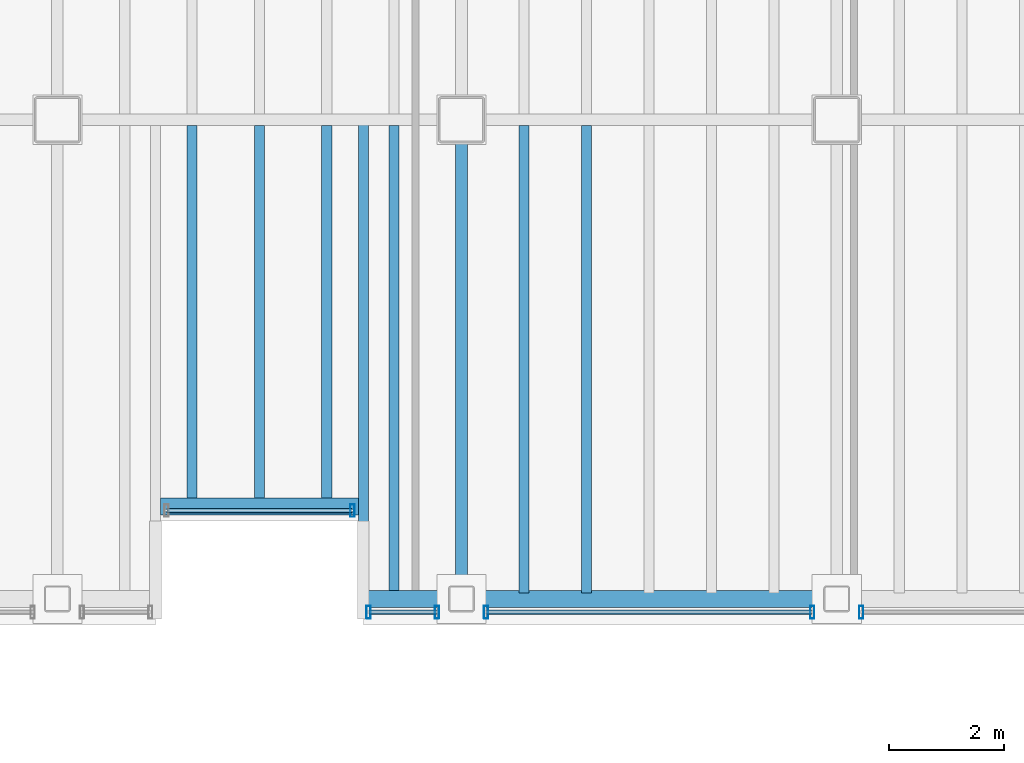
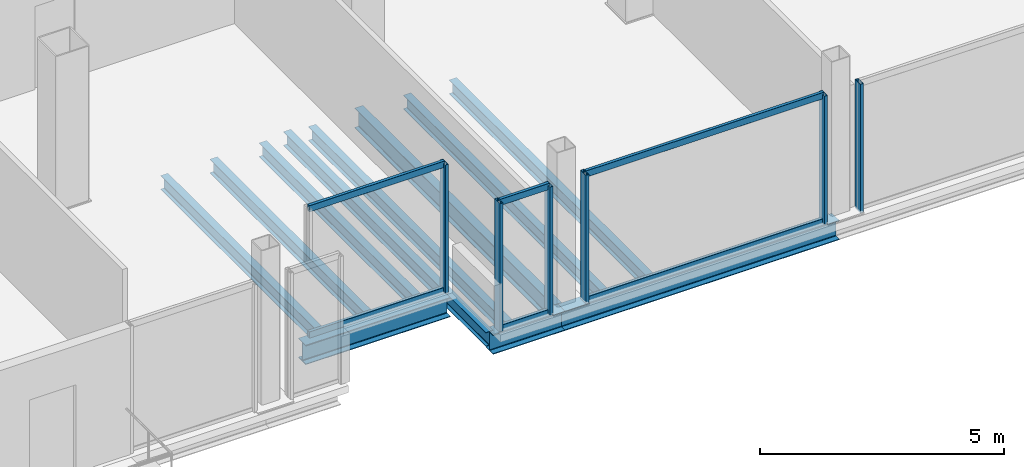
# One storey, part 4 of 15: 12 members, 11 beams, 4 elements without a shape of their own.
"""IFC4 building model written with IfcOpenShell, lengths in metres."""

from ifc_helpers import new_model, si_unit, direction, frame, origin, origin_2d, place, context, subcontext, project, spatial, hollow_rectangle, i_section, extrude, material, material_profile, profile_set, type_object, element, aggregate, save


model = new_model("IFC4")

# Units and contexts
model_context = context("Model", 3, precision=1e-05, world=origin(), true_north=direction((0.0, 1.0)))
body_context = subcontext(model_context, "Body", "Model", "MODEL_VIEW")
ifc_project = project(units=[si_unit("LENGTHUNIT", "METRE"), si_unit("AREAUNIT", "SQUARE_METRE"), si_unit("VOLUMEUNIT", "CUBIC_METRE"), si_unit("PLANEANGLEUNIT", "RADIAN"), si_unit("MASSUNIT", "GRAM", prefix="KILO")], contexts=[model_context])

# Site, building, storey
site_placement = place(None, origin())
site = spatial("IfcSite", under=ifc_project, at=site_placement, CompositionType="ELEMENT")
building_placement = place(site_placement, origin())
building = spatial("IfcBuilding", under=site, at=building_placement, Name="Noeulbin Bourse Tower", CompositionType="ELEMENT")
storey_placement = place(building_placement, frame((0.0, 0.0, 211.10009765625)))
storey = spatial("IfcBuildingStorey", under=building, at=storey_placement, Name="L52", CompositionType="ELEMENT", Elevation=211.10009765625)

# Beams
ifc_material_1 = material(Name="Steel S355", Category="steel")
ifc_material_profile_1 = material_profile(ifc_material_1, i_section(OverallWidth=0.199951171875, OverallDepth=0.5, WebThickness=0.010009765625, FlangeThickness=0.01611328125, FilletRadius=0.02001953125, at=origin_2d()), Name="H-500x200x10x16", Category="LoadBearing")
ifc_profile_set_1 = profile_set([ifc_material_profile_1], Name="Steel S355")
beam_type_1 = type_object("IfcBeamType", Name="BM-GRD-500", PredefinedType="USERDEFINED", material=ifc_profile_set_1)
beam_1_placement = place(storey_placement, frame((31.0, 11.699951171875, -0.43017578125), z_axis=(0.0, 1.0, 0.0), x_axis=(-1.0, 0.0, 0.0)))
element("IfcBeam", 1, at=beam_1_placement, inside=storey, type_object=beam_type_1, Name="Tower Primary Girder NS L52-3.1", ObjectType="GIRDER", PredefinedType="USERDEFINED", context=body_context, shape_type="SweptSolid", body=[
    extrude(i_section(OverallWidth=0.199951171875, OverallDepth=0.5, WebThickness=0.010009765625, FlangeThickness=0.01611328125, FilletRadius=0.02001953125, at=origin_2d()), origin(), (0.0, 0.0, 1.0), 8.300048828125),
])
ifc_material_profile_2 = material_profile(ifc_material_1, i_section(OverallWidth=0.175048828125, OverallDepth=0.35009765625, WebThickness=0.007080078125, FlangeThickness=0.010986328125, FilletRadius=0.013916015625, at=origin_2d()), Name="H-350x175x7x11", Category="LoadBearing")
ifc_profile_set_2 = profile_set([ifc_material_profile_2], Name="Steel S355")
beam_type_2 = type_object("IfcBeamType", Name="BM-JST-350", PredefinedType="JOIST", material=ifc_profile_set_2)
beam_2_placement = place(storey_placement, frame((29.300048828125, 11.699951171875, -0.35498046875), z_axis=(0.0, 1.0, 0.0), x_axis=(-1.0, 0.0, 0.0)))
element("IfcBeam", 2, at=beam_2_placement, inside=storey, type_object=beam_type_2, Name="BM-L52-SRT-E", PredefinedType="JOIST", context=body_context, shape_type="SweptSolid", body=[
    extrude(i_section(OverallWidth=0.175048828125, OverallDepth=0.35009765625, WebThickness=0.007080078125, FlangeThickness=0.010986328125, FilletRadius=0.013916015625, at=origin_2d()), origin(), (0.0, 0.0, 1.0), 8.300048828125),
])
for number, where, z_axis, x_axis, name in (
    (3, (26.333251953125, 13.39990234375, -0.35498046875), (0.0, 1.0, 0.0), (-1.0, 0.0, 0.0), "Tower Composite Joist L52-19"),
    (4, (27.5, 13.39990234375, -0.35498046875), (0.0, 1.0, 0.0), (-1.0, 0.0, 0.0), "Tower Composite Joist L52-21"),
    (5, (28.666748046875, 13.39990234375, -0.35498046875), (0.0, 1.0, 0.0), (-1.0, 0.0, 0.0), "Tower Composite Joist L52-23"),
):
    element("IfcBeam", number, at=place(storey_placement, frame(where, z_axis=z_axis, x_axis=x_axis)), inside=storey, type_object=beam_type_2, Name=name, PredefinedType="JOIST", context=body_context, shape_type="SweptSolid", body=[
        extrude(i_section(OverallWidth=0.175048828125, OverallDepth=0.35009765625, WebThickness=0.007080078125, FlangeThickness=0.010986328125, FilletRadius=0.013916015625, at=origin_2d()), origin(), (0.0, 0.0, 1.0), 6.5),
    ])
for number, where, z_axis, x_axis, name in (
    (6, (29.833251953125, 11.800048828125, -0.35498046875), (0.0, 1.0, 0.0), (-1.0, 0.0, 0.0), "Tower Composite Joist L52-25"),
    (7, (32.083251953125, 11.800048828125, -0.35498046875), (0.0, 1.0, 0.0), (-1.0, 0.0, 0.0), "Tower Composite Joist L52-27"),
    (8, (33.166748046875, 11.800048828125, -0.35498046875), (0.0, 1.0, 0.0), (-1.0, 0.0, 0.0), "Tower Composite Joist L52-29"),
):
    element("IfcBeam", number, at=place(storey_placement, frame(where, z_axis=z_axis, x_axis=x_axis)), inside=storey, type_object=beam_type_2, Name=name, PredefinedType="JOIST", context=body_context, shape_type="SweptSolid", body=[
        extrude(i_section(OverallWidth=0.175048828125, OverallDepth=0.35009765625, WebThickness=0.007080078125, FlangeThickness=0.010986328125, FilletRadius=0.013916015625, at=origin_2d()), origin(), (0.0, 0.0, 1.0), 8.099853515625),
    ])
ifc_material_profile_3 = material_profile(ifc_material_1, i_section(OverallWidth=0.300048828125, OverallDepth=0.488037109375, WebThickness=0.010986328125, FlangeThickness=0.01806640625, FilletRadius=0.02197265625, at=origin_2d()), Name="H-488x300x11x18", Category="LoadBearing")
ifc_profile_set_3 = profile_set([ifc_material_profile_3], Name="Steel S355")
beam_type_3 = type_object("IfcBeamType", Name="BM-SPN-488", PredefinedType="SPANDREL", material=ifc_profile_set_3)
beam_3_placement = place(storey_placement, frame((25.78759765625, 13.300048828125, -0.424072265625), z_axis=(1.0, 0.0, 0.0), x_axis=(0.0, 1.0, 0.0)))
element("IfcBeam", 9, at=beam_3_placement, inside=storey, type_object=beam_type_3, Name="South Recess Spandrel L52-2B", PredefinedType="SPANDREL", context=body_context, shape_type="SweptSolid", body=[
    extrude(i_section(OverallWidth=0.300048828125, OverallDepth=0.488037109375, WebThickness=0.010986328125, FlangeThickness=0.01806640625, FilletRadius=0.02197265625, at=origin_2d()), origin(), (0.0, 0.0, 1.0), 3.4248046875),
])
beam_4_placement = place(storey_placement, frame((29.300048828125, 11.699951171875, -0.424072265625), z_axis=(1.0, 0.0, 0.0), x_axis=(0.0, 1.0, 0.0)))
element("IfcBeam", 10, at=beam_4_placement, inside=storey, type_object=beam_type_3, Name="South Spandrel L52-2C", PredefinedType="SPANDREL", context=body_context, shape_type="SweptSolid", body=[
    extrude(i_section(OverallWidth=0.300048828125, OverallDepth=0.488037109375, WebThickness=0.010986328125, FlangeThickness=0.01806640625, FilletRadius=0.02197265625, at=origin_2d()), origin(), (0.0, 0.0, 1.0), 1.699951171875),
])
beam_5_placement = place(storey_placement, frame((31.0, 11.699951171875, -0.424072265625), z_axis=(1.0, 0.0, 0.0), x_axis=(0.0, 1.0, 0.0)))
element("IfcBeam", 11, at=beam_5_placement, inside=storey, type_object=beam_type_3, Name="South Spandrel L52-3", PredefinedType="SPANDREL", context=body_context, shape_type="SweptSolid", body=[
    extrude(i_section(OverallWidth=0.300048828125, OverallDepth=0.488037109375, WebThickness=0.010986328125, FlangeThickness=0.01806640625, FilletRadius=0.02197265625, at=origin_2d()), origin(), (0.0, 0.0, 1.0), 6.5),
])

# Curtain wall, member
ifc_material_2 = material(Name="High-Selectivity Low-Iron Glazing", Category="glass")
curtain_wall_type = type_object("IfcCurtainWallType", Name="CW-SYS-4", PredefinedType="NOTDEFINED", material=ifc_material_2)
curtain_wall_1_placement = place(storey_placement, origin())
curtain_wall_1 = element("IfcCurtainWall", 12, at=curtain_wall_1_placement, inside=storey, type_object=curtain_wall_type, Name="Unitised Curtain Wall CW-L52-SREC", PredefinedType="NOTDEFINED")
ifc_material_3 = material(Name="Anodised Aluminium 6063-T6", Category="aluminium")
ifc_material_profile_4 = material_profile(ifc_material_3, hollow_rectangle(XDim=0.074951171875, YDim=0.219970703125, WallThickness=0.0048828125, InnerFilletRadius=0.00244140625, OuterFilletRadius=0.0048828125, at=origin_2d()), Name="ALU-MULL-75x220x5", Category="LoadBearing")
ifc_profile_set_4 = profile_set([ifc_material_profile_4], Name="Anodised Aluminium 6063-T6")
member_type_1 = type_object("IfcMemberType", Name="CW-SYS-4-MUL", PredefinedType="MULLION", material=ifc_profile_set_4)
member_1_placement = place(storey_placement, frame((29.110107421875, 13.22998046875, -0.02001953125), z_axis=(0.0, 0.0, 1.0), x_axis=(1.0, 0.0, 0.0)))
member_1 = element("IfcMember", 13, at=member_1_placement, type_object=member_type_1, Name="Curtain Wall Mullion CW-L52-SREC-M01", PredefinedType="MULLION", context=body_context, shape_type="SweptSolid", body=[
    extrude(hollow_rectangle(XDim=0.074951171875, YDim=0.219970703125, WallThickness=0.0048828125, InnerFilletRadius=0.00244140625, OuterFilletRadius=0.0048828125, at=origin_2d()), origin(), (0.0, 0.0, 1.0), 3.219970703125),
])

# Curtain wall, members
curtain_wall_2_placement = place(storey_placement, origin())
curtain_wall_2 = element("IfcCurtainWall", 14, at=curtain_wall_2_placement, inside=storey, type_object=curtain_wall_type, Name="Unitised Curtain Wall CW-L52-S3-S1", PredefinedType="NOTDEFINED")
member_2_placement = place(storey_placement, frame((29.389892578125, 11.469970703125, -0.02001953125), z_axis=(0.0, 0.0, 1.0), x_axis=(1.0, 0.0, 0.0)))
member_2 = element("IfcMember", 15, at=member_2_placement, type_object=member_type_1, Name="Curtain Wall Mullion CW-L52-S3-S1-M00", PredefinedType="MULLION", context=body_context, shape_type="SweptSolid", body=[
    extrude(hollow_rectangle(XDim=0.074951171875, YDim=0.219970703125, WallThickness=0.0048828125, InnerFilletRadius=0.00244140625, OuterFilletRadius=0.0048828125, at=origin_2d()), origin(), (0.0, 0.0, 1.0), 3.219970703125),
])
member_3_placement = place(storey_placement, frame((30.574951171875, 11.469970703125, -0.02001953125), z_axis=(0.0, 0.0, 1.0), x_axis=(1.0, 0.0, 0.0)))
member_3 = element("IfcMember", 16, at=member_3_placement, type_object=member_type_1, Name="Curtain Wall Mullion CW-L52-S3-S1-M01", PredefinedType="MULLION", context=body_context, shape_type="SweptSolid", body=[
    extrude(hollow_rectangle(XDim=0.074951171875, YDim=0.219970703125, WallThickness=0.0048828125, InnerFilletRadius=0.00244140625, OuterFilletRadius=0.0048828125, at=origin_2d()), origin(), (0.0, 0.0, 1.0), 3.219970703125),
])

curtain_wall_3_placement = place(storey_placement, origin())
curtain_wall_3 = element("IfcCurtainWall", 17, at=curtain_wall_3_placement, inside=storey, type_object=curtain_wall_type, Name="Unitised Curtain Wall CW-L52-S3-S2", PredefinedType="NOTDEFINED")
member_4_placement = place(storey_placement, frame((31.425048828125, 11.469970703125, -0.02001953125), z_axis=(0.0, 0.0, 1.0), x_axis=(1.0, 0.0, 0.0)))
member_4 = element("IfcMember", 18, at=member_4_placement, type_object=member_type_1, Name="Curtain Wall Mullion CW-L52-S3-S2-M00", PredefinedType="MULLION", context=body_context, shape_type="SweptSolid", body=[
    extrude(hollow_rectangle(XDim=0.074951171875, YDim=0.219970703125, WallThickness=0.0048828125, InnerFilletRadius=0.00244140625, OuterFilletRadius=0.0048828125, at=origin_2d()), origin(), (0.0, 0.0, 1.0), 3.219970703125),
])
member_5_placement = place(storey_placement, frame((37.074951171875, 11.469970703125, -0.02001953125), z_axis=(0.0, 0.0, 1.0), x_axis=(1.0, 0.0, 0.0)))
member_5 = element("IfcMember", 19, at=member_5_placement, type_object=member_type_1, Name="Curtain Wall Mullion CW-L52-S3-S2-M01", PredefinedType="MULLION", context=body_context, shape_type="SweptSolid", body=[
    extrude(hollow_rectangle(XDim=0.074951171875, YDim=0.219970703125, WallThickness=0.0048828125, InnerFilletRadius=0.00244140625, OuterFilletRadius=0.0048828125, at=origin_2d()), origin(), (0.0, 0.0, 1.0), 3.219970703125),
])

# Curtain wall, member
curtain_wall_4_placement = place(storey_placement, origin())
curtain_wall_4 = element("IfcCurtainWall", 20, at=curtain_wall_4_placement, inside=storey, type_object=curtain_wall_type, Name="Unitised Curtain Wall CW-L52-S3-S3", PredefinedType="NOTDEFINED")
member_6_placement = place(storey_placement, frame((37.925048828125, 11.469970703125, -0.02001953125), z_axis=(0.0, 0.0, 1.0), x_axis=(1.0, 0.0, 0.0)))
member_6 = element("IfcMember", 21, at=member_6_placement, type_object=member_type_1, Name="Curtain Wall Mullion CW-L52-S3-S3-M00", PredefinedType="MULLION", context=body_context, shape_type="SweptSolid", body=[
    extrude(hollow_rectangle(XDim=0.074951171875, YDim=0.219970703125, WallThickness=0.0048828125, InnerFilletRadius=0.00244140625, OuterFilletRadius=0.0048828125, at=origin_2d()), origin(), (0.0, 0.0, 1.0), 3.219970703125),
])
aggregate(curtain_wall_4, [member_6])

# Member
ifc_material_profile_5 = material_profile(ifc_material_3, hollow_rectangle(XDim=0.074951171875, YDim=0.159912109375, WallThickness=0.0048828125, InnerFilletRadius=0.00244140625, OuterFilletRadius=0.0048828125, at=origin_2d()), Name="ALU-TRAN-75x160x5", Category="LoadBearing")
ifc_profile_set_5 = profile_set([ifc_material_profile_5], Name="Anodised Aluminium 6063-T6")
member_type_2 = type_object("IfcMemberType", Name="CW-SYS-4-TRN", PredefinedType="USERDEFINED", material=ifc_profile_set_5)
member_7_placement = place(storey_placement, frame((25.89990234375, 13.22998046875, 0.010009765625), z_axis=(1.0, 0.0, 0.0), x_axis=(0.0, 1.0, 0.0)))
member_7 = element("IfcMember", 22, at=member_7_placement, type_object=member_type_2, Name="Curtain Wall Transom CW-L52-SREC-T00", ObjectType="TRANSOM", PredefinedType="USERDEFINED", context=body_context, shape_type="SweptSolid", body=[
    extrude(hollow_rectangle(XDim=0.074951171875, YDim=0.159912109375, WallThickness=0.0048828125, InnerFilletRadius=0.00244140625, OuterFilletRadius=0.0048828125, at=origin_2d()), origin(), (0.0, 0.0, 1.0), 3.2001953125),
])

member_8_placement = place(storey_placement, frame((25.89990234375, 13.22998046875, 3.169921875), z_axis=(1.0, 0.0, 0.0), x_axis=(0.0, 1.0, 0.0)))
member_8 = element("IfcMember", 23, at=member_8_placement, type_object=member_type_2, Name="Curtain Wall Transom CW-L52-SREC-T01", ObjectType="TRANSOM", PredefinedType="USERDEFINED", context=body_context, shape_type="SweptSolid", body=[
    extrude(hollow_rectangle(XDim=0.074951171875, YDim=0.159912109375, WallThickness=0.0048828125, InnerFilletRadius=0.00244140625, OuterFilletRadius=0.0048828125, at=origin_2d()), origin(), (0.0, 0.0, 1.0), 3.2001953125),
])

aggregate(curtain_wall_1, [member_1, member_7, member_8])

member_9_placement = place(storey_placement, frame((29.39990234375, 11.469970703125, 0.010009765625), z_axis=(1.0, 0.0, 0.0), x_axis=(0.0, 1.0, 0.0)))
member_9 = element("IfcMember", 24, at=member_9_placement, type_object=member_type_2, Name="Curtain Wall Transom CW-L52-S3-S1-T00", ObjectType="TRANSOM", PredefinedType="USERDEFINED", context=body_context, shape_type="SweptSolid", body=[
    extrude(hollow_rectangle(XDim=0.074951171875, YDim=0.159912109375, WallThickness=0.0048828125, InnerFilletRadius=0.00244140625, OuterFilletRadius=0.0048828125, at=origin_2d()), origin(), (0.0, 0.0, 1.0), 1.1650390625),
])

member_10_placement = place(storey_placement, frame((29.39990234375, 11.469970703125, 3.169921875), z_axis=(1.0, 0.0, 0.0), x_axis=(0.0, 1.0, 0.0)))
member_10 = element("IfcMember", 25, at=member_10_placement, type_object=member_type_2, Name="Curtain Wall Transom CW-L52-S3-S1-T01", ObjectType="TRANSOM", PredefinedType="USERDEFINED", context=body_context, shape_type="SweptSolid", body=[
    extrude(hollow_rectangle(XDim=0.074951171875, YDim=0.159912109375, WallThickness=0.0048828125, InnerFilletRadius=0.00244140625, OuterFilletRadius=0.0048828125, at=origin_2d()), origin(), (0.0, 0.0, 1.0), 1.1650390625),
])

aggregate(curtain_wall_2, [member_2, member_3, member_9, member_10])

member_11_placement = place(storey_placement, frame((31.43505859375, 11.469970703125, 0.010009765625), z_axis=(1.0, 0.0, 0.0), x_axis=(0.0, 1.0, 0.0)))
member_11 = element("IfcMember", 26, at=member_11_placement, type_object=member_type_2, Name="Curtain Wall Transom CW-L52-S3-S2-T00", ObjectType="TRANSOM", PredefinedType="USERDEFINED", context=body_context, shape_type="SweptSolid", body=[
    extrude(hollow_rectangle(XDim=0.074951171875, YDim=0.159912109375, WallThickness=0.0048828125, InnerFilletRadius=0.00244140625, OuterFilletRadius=0.0048828125, at=origin_2d()), origin(), (0.0, 0.0, 1.0), 5.6298828125),
])

member_12_placement = place(storey_placement, frame((31.43505859375, 11.469970703125, 3.169921875), z_axis=(1.0, 0.0, 0.0), x_axis=(0.0, 1.0, 0.0)))
member_12 = element("IfcMember", 27, at=member_12_placement, type_object=member_type_2, Name="Curtain Wall Transom CW-L52-S3-S2-T01", ObjectType="TRANSOM", PredefinedType="USERDEFINED", context=body_context, shape_type="SweptSolid", body=[
    extrude(hollow_rectangle(XDim=0.074951171875, YDim=0.159912109375, WallThickness=0.0048828125, InnerFilletRadius=0.00244140625, OuterFilletRadius=0.0048828125, at=origin_2d()), origin(), (0.0, 0.0, 1.0), 5.6298828125),
])

aggregate(curtain_wall_3, [member_4, member_5, member_11, member_12])

save(model, "model.ifc")
